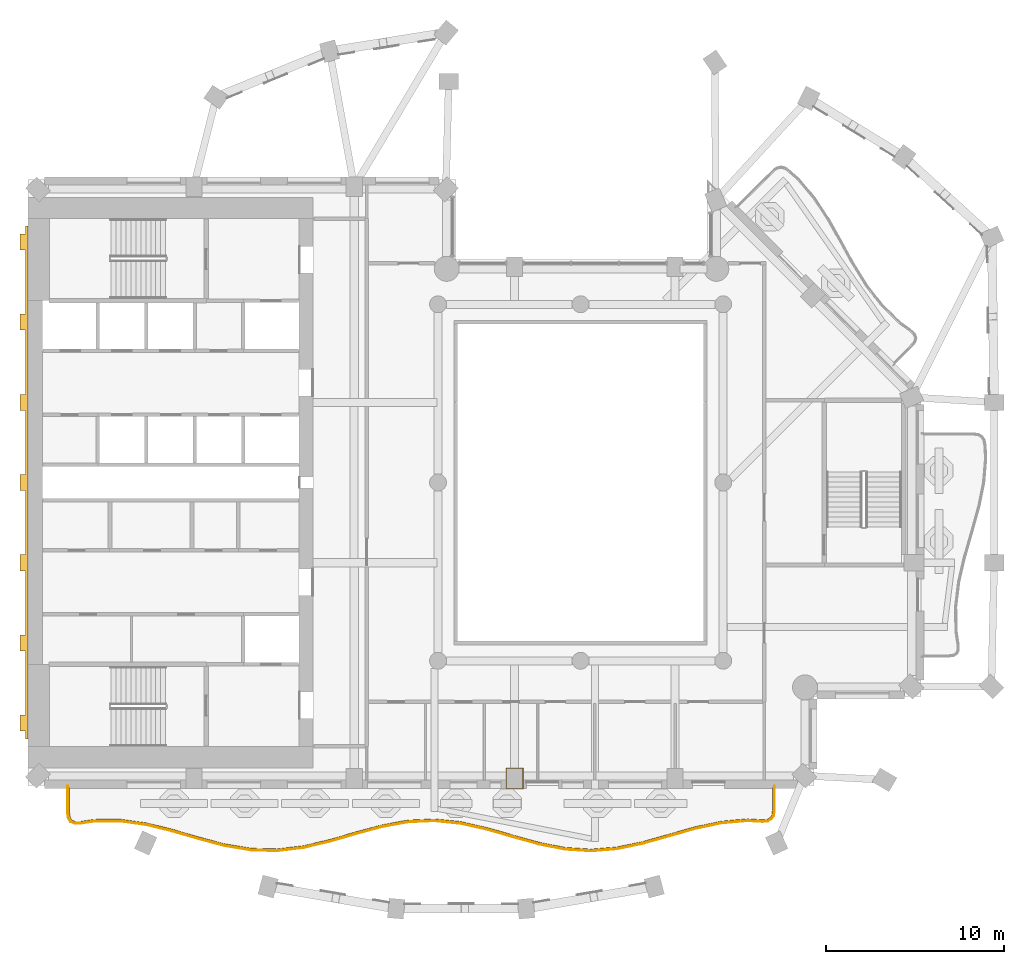
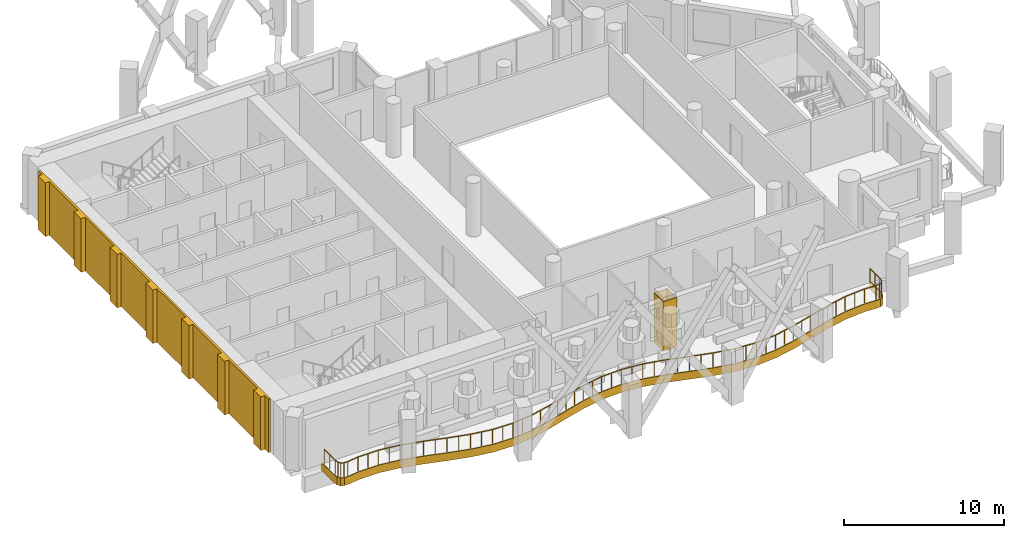
# One storey, part 12 of 16: 3 coverings, 1 railing.
"""IFC4 building model written with IfcOpenShell, lengths in metres."""

from ifc_helpers import new_model, si_unit, direction, frame, origin, origin_2d, place, context, subcontext, project, spatial, polyline, rectangle, outline, extrude, material, layer, layer_set, type_object, element, save


model = new_model("IFC4")

# Units and contexts
model_context = context("Model", 3, precision=1e-05, world=origin(), true_north=direction((0.0, 1.0)))
body_context = subcontext(model_context, "Body", "Model", "MODEL_VIEW")
ifc_project = project(units=[si_unit("LENGTHUNIT", "METRE"), si_unit("AREAUNIT", "SQUARE_METRE"), si_unit("VOLUMEUNIT", "CUBIC_METRE"), si_unit("PLANEANGLEUNIT", "RADIAN"), si_unit("MASSUNIT", "GRAM", prefix="KILO")], contexts=[model_context])

# Site, building, storey
site_placement = place(None, origin())
site = spatial("IfcSite", under=ifc_project, at=site_placement, CompositionType="ELEMENT")
building_placement = place(site_placement, origin())
building = spatial("IfcBuilding", under=site, at=building_placement, Name="Cypress Arch Tower", CompositionType="ELEMENT")
storey_placement = place(building_placement, frame((0.0, 0.0, 230.199951171875)))
storey = spatial("IfcBuildingStorey", under=building, at=storey_placement, Name="L51", CompositionType="ELEMENT", Elevation=230.199951171875)

# Covering
ifc_material_1 = material(Name="White powder-coated aluminium fascia", Category="aluminium")
ifc_layer_1 = layer(ifc_material_1, 0.050048828125)
ifc_layer_set_1 = layer_set([ifc_layer_1], Name="Balcony fascia BF50")
covering_type_1 = type_object("IfcCoveringType", Name="Balcony fascia BF50", PredefinedType="CLADDING", material=ifc_layer_set_1)
covering_1_placement = place(storey_placement, frame((0.0, 0.0, -0.599853515625)))
element("IfcCovering", 1, at=covering_1_placement, inside=storey, type_object=covering_type_1, Name="Balcony fascia L51-B01", PredefinedType="CLADDING", context=body_context, shape_type="SweptSolid", body=[
    extrude(outline(polyline([(11.89990234375, -18.3818359375), (11.856689453125, -18.6826171875), (11.720458984375, -18.901611328125), (11.4931640625, -19.02392578125), (11.1904296875, -19.04833984375), (10.3837890625, -18.997802734375), (8.924072265625, -19.123046875), (7.462158203125, -19.433349609375), (5.9970703125, -19.85009765625), (4.528564453125, -20.266357421875), (3.05712890625, -20.5751953125), (1.583740234375, -20.69677734375), (0.110107421875, -20.599365234375), (-1.361572265625, -20.30859375), (-2.830322265625, -19.8994140625), (-4.295654296875, -19.477294921875), (-5.758056640625, -19.150146484375), (-7.218017578125, -19.001220703125), (-8.677734375, -19.068359375), (-10.138916015625, -19.334228515625), (-11.60302734375, -19.731689453125), (-13.070556640625, -20.1591796875), (-14.541259765625, -20.5068359375), (-16.014404296875, -20.68505859375), (-17.488037109375, -20.647216796875), (-18.96044921875, -20.403564453125), (-20.43017578125, -20.01708984375), (-21.896484375, -19.58740234375), (-23.359375, -19.224365234375), (-24.820068359375, -19.02099609375), (-26.279541015625, -19.028564453125), (-27.086181640625, -19.148193359375), (-27.3896484375, -19.149169921875), (-27.618896484375, -19.044189453125), (-27.756591796875, -18.83251953125), (-27.800048828125, -18.5322265625), (-27.800048828125, -17.0009765625), (-27.75, -17.0009765625), (-27.75, -18.52880859375), (-27.708740234375, -18.814453125), (-27.5849609375, -19.004638671875), (-27.378662109375, -19.09912109375), (-27.090087890625, -19.09814453125), (-26.283447265625, -18.978515625), (-24.816650390625, -18.970947265625), (-23.35009765625, -19.17529296875), (-21.88330078125, -19.5390625), (-20.416748046875, -19.96875), (-18.949951171875, -20.354736328125), (-17.4833984375, -20.597412109375), (-16.0166015625, -20.635009765625), (-14.550048828125, -20.45751953125), (-13.083251953125, -20.11083984375), (-11.61669921875, -19.68359375), (-10.14990234375, -19.285400390625), (-8.683349609375, -19.0185546875), (-7.216552734375, -18.951171875), (-5.75, -19.1005859375), (-4.283447265625, -19.4287109375), (-2.816650390625, -19.851318359375), (-1.35009765625, -20.260009765625), (0.11669921875, -20.5498046875), (1.583251953125, -20.646728515625), (3.050048828125, -20.525634765625), (4.5166015625, -20.2177734375), (5.9833984375, -19.802001953125), (7.449951171875, -19.384765625), (8.916748046875, -19.073486328125), (10.38330078125, -18.94775390625), (11.18994140625, -18.998291015625), (11.478759765625, -18.97509765625), (11.68505859375, -18.864013671875), (11.808837890625, -18.6650390625), (11.85009765625, -18.37841796875), (11.85009765625, -17.0009765625), (11.89990234375, -17.0009765625), (11.89990234375, -18.3818359375)])), origin(), (0.0, 0.0, 1.0), 0.599853515625),
])

# Railing
ifc_material_2 = material(Name="Powder-coated steel posts and rods, 100 mm clear between rods", Category="steel")
railing_type = type_object("IfcRailingType", Name="Balcony guard GR1100", PredefinedType="GUARDRAIL", material=ifc_material_2)
railing_placement = place(storey_placement, frame((11.800048828125, -17.14990234375, 0.0)))
element("IfcRailing", 2, at=railing_placement, inside=storey, type_object=railing_type, Name="Balcony guard L51-B01", PredefinedType="GUARDRAIL", context=body_context, shape_type="SweptSolid", body=[
    extrude(rectangle(XDim=0.050048828125, YDim=0.050048828125, at=origin_2d()), frame((0.0, 0.0, 1.0751953125), z_axis=(0.0, -1.0, 0.0), x_axis=(1.0, 0.0, 0.0)), (0.0, 0.0, 1.0), 1.224853515625),
    extrude(rectangle(XDim=0.050048828125, YDim=0.050048828125, at=origin_2d()), frame((0.0, -1.224853515625, 1.0751953125), z_axis=(-0.142661782436, -0.989771496777, 0.0), x_axis=(0.989771496777, -0.142661782436, 0.0)), (0.0, 0.0, 1.0), 0.275634765625),
    extrude(rectangle(XDim=0.050048828125, YDim=0.050048828125, at=origin_2d()), frame((-0.039306640625, -1.49755859375, 1.0751953125), z_axis=(-0.527911502884, -0.84929938486, 0.0), x_axis=(0.84929938486, -0.527911502884, 0.0)), (0.0, 0.0, 1.0), 0.21044921875),
    extrude(rectangle(XDim=0.050048828125, YDim=0.050048828125, at=origin_2d()), frame((-0.150390625, -1.67626953125, 1.0751953125), z_axis=(-0.880322085584, -0.474376459821, 0.0), x_axis=(0.474376459821, -0.880322085584, 0.0)), (0.0, 0.0, 1.0), 0.21044921875),
    extrude(rectangle(XDim=0.050048828125, YDim=0.050048828125, at=origin_2d()), frame((-0.335693359375, -1.776123046875, 1.0751953125), z_axis=(-0.996820905789, -0.079674850374, 0.0), x_axis=(0.079674850374, -0.996820905789, 0.0)), (0.0, 0.0, 1.0), 0.27587890625),
    extrude(rectangle(XDim=0.050048828125, YDim=0.050048828125, at=origin_2d()), frame((-0.610595703125, -1.798095703125, 1.0751953125), z_axis=(-0.99804316415, 0.062528733347, 0.0), x_axis=(-0.062528733347, -0.99804316415, 0.0)), (0.0, 0.0, 1.0), 0.80810546875),
    extrude(rectangle(XDim=0.050048828125, YDim=0.050048828125, at=origin_2d()), frame((-1.417236328125, -1.74755859375, 1.0751953125), z_axis=(-0.996336608146, -0.085518204311, 0.0), x_axis=(0.085518204311, -0.996336608146, 0.0)), (0.0, 0.0, 1.0), 1.478759765625),
    extrude(rectangle(XDim=0.050048828125, YDim=0.050048828125, at=origin_2d()), frame((-2.890625, -1.8740234375, 1.0751953125), z_axis=(-0.978183180748, -0.207744229527, 0.0), x_axis=(0.207744229527, -0.978183180748, 0.0)), (0.0, 0.0, 1.0), 1.504150390625),
    extrude(rectangle(XDim=0.050048828125, YDim=0.050048828125, at=origin_2d()), frame((-4.362060546875, -2.1865234375, 1.0751953125), z_axis=(-0.961873222255, -0.273495711682, 0.0), x_axis=(0.273495711682, -0.961873222255, 0.0)), (0.0, 0.0, 1.0), 1.5263671875),
    extrude(rectangle(XDim=0.050048828125, YDim=0.050048828125, at=origin_2d()), frame((-5.830322265625, -2.60400390625, 1.0751953125), z_axis=(-0.962096585209, -0.272708930418, 0.0), x_axis=(0.272708930418, -0.962096585209, 0.0)), (0.0, 0.0, 1.0), 1.522705078125),
    extrude(rectangle(XDim=0.050048828125, YDim=0.050048828125, at=origin_2d()), frame((-7.29541015625, -3.019287109375, 1.0751953125), z_axis=(-0.978669272468, -0.205442096776, 0.0), x_axis=(0.205442096776, -0.978669272468, 0.0)), (0.0, 0.0, 1.0), 1.493896484375),
    extrude(rectangle(XDim=0.050048828125, YDim=0.050048828125, at=origin_2d()), frame((-8.75732421875, -3.326171875, 1.0751953125), z_axis=(-0.99661780165, -0.082176380032, 0.0), x_axis=(0.082176380032, -0.99661780165, 0.0)), (0.0, 0.0, 1.0), 1.464599609375),
    extrude(rectangle(XDim=0.050048828125, YDim=0.050048828125, at=origin_2d()), frame((-10.217041015625, -3.446533203125, 1.0751953125), z_axis=(-0.997824854528, 0.065920859264, 0.0), x_axis=(-0.065920859264, -0.997824854528, 0.0)), (0.0, 0.0, 1.0), 1.462890625),
    extrude(rectangle(XDim=0.050048828125, YDim=0.050048828125, at=origin_2d()), frame((-11.6767578125, -3.35009765625, 1.0751953125), z_axis=(-0.981031817987, 0.193846774792, 0.0), x_axis=(-0.193846774792, -0.981031817987, 0.0)), (0.0, 0.0, 1.0), 1.489990234375),
    extrude(rectangle(XDim=0.050048828125, YDim=0.050048828125, at=origin_2d()), frame((-13.138427734375, -3.061279296875, 1.0751953125), z_axis=(-0.963326715403, 0.268331212108, 0.0), x_axis=(-0.268331212108, -0.963326715403, 0.0)), (0.0, 0.0, 1.0), 1.520263671875),
    extrude(rectangle(XDim=0.050048828125, YDim=0.050048828125, at=origin_2d()), frame((-14.60302734375, -2.6533203125, 1.0751953125), z_axis=(-0.96093073146, 0.276788961731, 0.0), x_axis=(-0.276788961731, -0.96093073146, 0.0)), (0.0, 0.0, 1.0), 1.527587890625),
    extrude(rectangle(XDim=0.050048828125, YDim=0.050048828125, at=origin_2d()), frame((-16.071044921875, -2.23046875, 1.0751953125), z_axis=(-0.975873539044, 0.218336519607, 0.0), x_axis=(-0.218336519607, -0.975873539044, 0.0)), (0.0, 0.0, 1.0), 1.50732421875),
    extrude(rectangle(XDim=0.050048828125, YDim=0.050048828125, at=origin_2d()), frame((-17.5419921875, -1.9013671875, 1.0751953125), z_axis=(-0.994847723588, 0.101380505386, 0.0), x_axis=(-0.101380505386, -0.994847723588, 0.0)), (0.0, 0.0, 1.0), 1.48095703125),
    extrude(rectangle(XDim=0.050048828125, YDim=0.050048828125, at=origin_2d()), frame((-19.015380859375, -1.751220703125, 1.0751953125), z_axis=(-0.998948653752, -0.045843071088, 0.0), x_axis=(0.045843071088, -0.998948653752, 0.0)), (0.0, 0.0, 1.0), 1.47509765625),
    extrude(rectangle(XDim=0.050048828125, YDim=0.050048828125, at=origin_2d()), frame((-20.489013671875, -1.81884765625, 1.0751953125), z_axis=(-0.983851631105, -0.178985943503, 0.0), x_axis=(0.178985943503, -0.983851631105, 0.0)), (0.0, 0.0, 1.0), 1.496337890625),
    extrude(rectangle(XDim=0.050048828125, YDim=0.050048828125, at=origin_2d()), frame((-21.961181640625, -2.086669921875, 1.0751953125), z_axis=(-0.965048250566, -0.262072268809, 0.0), x_axis=(0.262072268809, -0.965048250566, 0.0)), (0.0, 0.0, 1.0), 1.522216796875),
    extrude(rectangle(XDim=0.050048828125, YDim=0.050048828125, at=origin_2d()), frame((-23.43017578125, -2.485595703125, 1.0751953125), z_axis=(-0.960105583245, -0.279637746061, 0.0), x_axis=(0.279637746061, -0.960105583245, 0.0)), (0.0, 0.0, 1.0), 1.527099609375),
    extrude(rectangle(XDim=0.050048828125, YDim=0.050048828125, at=origin_2d()), frame((-24.896240234375, -2.91259765625, 1.0751953125), z_axis=(-0.973186596214, -0.2300170623, 0.0), x_axis=(0.2300170623, -0.973186596214, 0.0)), (0.0, 0.0, 1.0), 1.5029296875),
    extrude(rectangle(XDim=0.050048828125, YDim=0.050048828125, at=origin_2d()), frame((-26.35888671875, -3.25830078125, 1.0751953125), z_axis=(-0.992772785687, -0.120009149649, 0.0), x_axis=(0.120009149649, -0.992772785687, 0.0)), (0.0, 0.0, 1.0), 1.470947265625),
    extrude(rectangle(XDim=0.050048828125, YDim=0.050048828125, at=origin_2d()), frame((-27.819091796875, -3.434814453125, 1.0751953125), z_axis=(-0.999676901576, 0.025418348785, 0.0), x_axis=(-0.025418348785, -0.999676901576, 0.0)), (0.0, 0.0, 1.0), 1.4599609375),
    extrude(rectangle(XDim=0.050048828125, YDim=0.050048828125, at=origin_2d()), frame((-29.278564453125, -3.397705078125, 1.0751953125), z_axis=(-0.986562723275, 0.163382964366, 0.0), x_axis=(-0.163382964366, -0.986562723275, 0.0)), (0.0, 0.0, 1.0), 1.48095703125),
    extrude(rectangle(XDim=0.050048828125, YDim=0.050048828125, at=origin_2d()), frame((-30.739501953125, -3.15576171875, 1.0751953125), z_axis=(-0.967110045631, 0.254358329213, 0.0), x_axis=(-0.254358329213, -0.967110045631, 0.0)), (0.0, 0.0, 1.0), 1.513671875),
    extrude(rectangle(XDim=0.050048828125, YDim=0.050048828125, at=origin_2d()), frame((-32.203369140625, -2.770751953125, 1.0751953125), z_axis=(-0.95963969112, 0.281232400743, 0.0), x_axis=(-0.281232400743, -0.95963969112, 0.0)), (0.0, 0.0, 1.0), 1.52880859375),
    extrude(rectangle(XDim=0.050048828125, YDim=0.050048828125, at=origin_2d()), frame((-33.67041015625, -2.3408203125, 1.0751953125), z_axis=(-0.970614700325, 0.240638948453, 0.0), x_axis=(-0.240638948453, -0.970614700325, 0.0)), (0.0, 0.0, 1.0), 1.5146484375),
    extrude(rectangle(XDim=0.050048828125, YDim=0.050048828125, at=origin_2d()), frame((-35.140625, -1.976318359375, 1.0751953125), z_axis=(-0.990420045806, 0.138087410233, 0.0), x_axis=(-0.138087410233, -0.990420045806, 0.0)), (0.0, 0.0, 1.0), 1.48681640625),
    extrude(rectangle(XDim=0.050048828125, YDim=0.050048828125, at=origin_2d()), frame((-36.61328125, -1.77099609375, 1.0751953125), z_axis=(-0.999986816144, -0.005134933129, 0.0), x_axis=(0.005134933129, -0.999986816144, 0.0)), (0.0, 0.0, 1.0), 1.473876953125),
    extrude(rectangle(XDim=0.050048828125, YDim=0.050048828125, at=origin_2d()), frame((-38.087158203125, -1.778564453125, 1.0751953125), z_axis=(-0.989180946289, -0.146700564068, 0.0), x_axis=(0.146700564068, -0.989180946289, 0.0)), (0.0, 0.0, 1.0), 0.8154296875),
    extrude(rectangle(XDim=0.050048828125, YDim=0.050048828125, at=origin_2d()), frame((-38.893798828125, -1.898193359375, 1.0751953125), z_axis=(-0.999993656538, -0.003561865206, 0.0), x_axis=(0.003561865206, -0.999993656538, 0.0)), (0.0, 0.0, 1.0), 0.274169921875),
    extrude(rectangle(XDim=0.050048828125, YDim=0.050048828125, at=origin_2d()), frame((-39.16796875, -1.899169921875, 1.0751953125), z_axis=(-0.909408965567, 0.415903033586, 0.0), x_axis=(-0.415903033586, -0.909408965567, 0.0)), (0.0, 0.0, 1.0), 0.201416015625),
    extrude(rectangle(XDim=0.050048828125, YDim=0.050048828125, at=origin_2d()), frame((-39.35107421875, -1.8154296875, 1.0751953125), z_axis=(-0.545158668166, 0.838332885269, 0.0), x_axis=(-0.838332885269, -0.545158668166, 0.0)), (0.0, 0.0, 1.0), 0.201416015625),
    extrude(rectangle(XDim=0.050048828125, YDim=0.050048828125, at=origin_2d()), frame((-39.4609375, -1.646484375, 1.0751953125), z_axis=(-0.142543797725, 0.989788495453, 0.0), x_axis=(-0.989788495453, -0.142543797725, 0.0)), (0.0, 0.0, 1.0), 0.27392578125),
    extrude(rectangle(XDim=0.050048828125, YDim=0.050048828125, at=origin_2d()), frame((-39.5, -1.375244140625, 1.0751953125), z_axis=(0.0, 1.0, 0.0), x_axis=(-1.0, 0.0, 0.0)), (0.0, 0.0, 1.0), 1.375244140625),
    extrude(rectangle(XDim=0.0400390625, YDim=0.0400390625, at=origin_2d()), origin(), (0.0, 0.0, 1.0), 1.050048828125),
    extrude(rectangle(XDim=0.0400390625, YDim=0.0400390625, at=origin_2d()), frame((0.0, -0.6123046875, 0.0)), (0.0, 0.0, 1.0), 1.050048828125),
    extrude(rectangle(XDim=0.0400390625, YDim=0.0400390625, at=origin_2d()), frame((0.0, -1.224853515625, 0.0)), (0.0, 0.0, 1.0), 1.050048828125),
    extrude(rectangle(XDim=0.0400390625, YDim=0.0400390625, at=origin_2d()), frame((-0.039306640625, -1.49755859375, 0.0)), (0.0, 0.0, 1.0), 1.050048828125),
    extrude(rectangle(XDim=0.0400390625, YDim=0.0400390625, at=origin_2d()), frame((-0.150390625, -1.67626953125, 0.0)), (0.0, 0.0, 1.0), 1.050048828125),
    extrude(rectangle(XDim=0.0400390625, YDim=0.0400390625, at=origin_2d()), frame((-0.335693359375, -1.776123046875, 0.0)), (0.0, 0.0, 1.0), 1.050048828125),
    extrude(rectangle(XDim=0.0400390625, YDim=0.0400390625, at=origin_2d()), frame((-0.610595703125, -1.798095703125, 0.0)), (0.0, 0.0, 1.0), 1.050048828125),
    extrude(rectangle(XDim=0.0400390625, YDim=0.0400390625, at=origin_2d()), frame((-1.417236328125, -1.74755859375, 0.0)), (0.0, 0.0, 1.0), 1.050048828125),
    extrude(rectangle(XDim=0.0400390625, YDim=0.0400390625, at=origin_2d()), frame((-2.15380859375, -1.810791015625, 0.0)), (0.0, 0.0, 1.0), 1.050048828125),
    extrude(rectangle(XDim=0.0400390625, YDim=0.0400390625, at=origin_2d()), frame((-2.890625, -1.8740234375, 0.0)), (0.0, 0.0, 1.0), 1.050048828125),
    extrude(rectangle(XDim=0.0400390625, YDim=0.0400390625, at=origin_2d()), frame((-3.62646484375, -2.0302734375, 0.0)), (0.0, 0.0, 1.0), 1.050048828125),
    extrude(rectangle(XDim=0.0400390625, YDim=0.0400390625, at=origin_2d()), frame((-4.362060546875, -2.1865234375, 0.0)), (0.0, 0.0, 1.0), 1.050048828125),
    extrude(rectangle(XDim=0.0400390625, YDim=0.0400390625, at=origin_2d()), frame((-5.09619140625, -2.395263671875, 0.0)), (0.0, 0.0, 1.0), 1.050048828125),
    extrude(rectangle(XDim=0.0400390625, YDim=0.0400390625, at=origin_2d()), frame((-5.830322265625, -2.60400390625, 0.0)), (0.0, 0.0, 1.0), 1.050048828125),
    extrude(rectangle(XDim=0.0400390625, YDim=0.0400390625, at=origin_2d()), frame((-6.56298828125, -2.8115234375, 0.0)), (0.0, 0.0, 1.0), 1.050048828125),
    extrude(rectangle(XDim=0.0400390625, YDim=0.0400390625, at=origin_2d()), frame((-7.29541015625, -3.019287109375, 0.0)), (0.0, 0.0, 1.0), 1.050048828125),
    extrude(rectangle(XDim=0.0400390625, YDim=0.0400390625, at=origin_2d()), frame((-8.0263671875, -3.1728515625, 0.0)), (0.0, 0.0, 1.0), 1.050048828125),
    extrude(rectangle(XDim=0.0400390625, YDim=0.0400390625, at=origin_2d()), frame((-8.75732421875, -3.326171875, 0.0)), (0.0, 0.0, 1.0), 1.050048828125),
    extrude(rectangle(XDim=0.0400390625, YDim=0.0400390625, at=origin_2d()), frame((-9.4873046875, -3.38623046875, 0.0)), (0.0, 0.0, 1.0), 1.050048828125),
    extrude(rectangle(XDim=0.0400390625, YDim=0.0400390625, at=origin_2d()), frame((-10.217041015625, -3.446533203125, 0.0)), (0.0, 0.0, 1.0), 1.050048828125),
    extrude(rectangle(XDim=0.0400390625, YDim=0.0400390625, at=origin_2d()), frame((-10.94677734375, -3.3984375, 0.0)), (0.0, 0.0, 1.0), 1.050048828125),
    extrude(rectangle(XDim=0.0400390625, YDim=0.0400390625, at=origin_2d()), frame((-11.6767578125, -3.35009765625, 0.0)), (0.0, 0.0, 1.0), 1.050048828125),
    extrude(rectangle(XDim=0.0400390625, YDim=0.0400390625, at=origin_2d()), frame((-12.40771484375, -3.20556640625, 0.0)), (0.0, 0.0, 1.0), 1.050048828125),
    extrude(rectangle(XDim=0.0400390625, YDim=0.0400390625, at=origin_2d()), frame((-13.138427734375, -3.061279296875, 0.0)), (0.0, 0.0, 1.0), 1.050048828125),
    extrude(rectangle(XDim=0.0400390625, YDim=0.0400390625, at=origin_2d()), frame((-13.87060546875, -2.857421875, 0.0)), (0.0, 0.0, 1.0), 1.050048828125),
    extrude(rectangle(XDim=0.0400390625, YDim=0.0400390625, at=origin_2d()), frame((-14.60302734375, -2.6533203125, 0.0)), (0.0, 0.0, 1.0), 1.050048828125),
    extrude(rectangle(XDim=0.0400390625, YDim=0.0400390625, at=origin_2d()), frame((-15.3369140625, -2.44189453125, 0.0)), (0.0, 0.0, 1.0), 1.050048828125),
    extrude(rectangle(XDim=0.0400390625, YDim=0.0400390625, at=origin_2d()), frame((-16.071044921875, -2.23046875, 0.0)), (0.0, 0.0, 1.0), 1.050048828125),
    extrude(rectangle(XDim=0.0400390625, YDim=0.0400390625, at=origin_2d()), frame((-16.806640625, -2.06591796875, 0.0)), (0.0, 0.0, 1.0), 1.050048828125),
    extrude(rectangle(XDim=0.0400390625, YDim=0.0400390625, at=origin_2d()), frame((-17.5419921875, -1.9013671875, 0.0)), (0.0, 0.0, 1.0), 1.050048828125),
    extrude(rectangle(XDim=0.0400390625, YDim=0.0400390625, at=origin_2d()), frame((-18.27880859375, -1.826171875, 0.0)), (0.0, 0.0, 1.0), 1.050048828125),
    extrude(rectangle(XDim=0.0400390625, YDim=0.0400390625, at=origin_2d()), frame((-19.015380859375, -1.751220703125, 0.0)), (0.0, 0.0, 1.0), 1.050048828125),
    extrude(rectangle(XDim=0.0400390625, YDim=0.0400390625, at=origin_2d()), frame((-19.752197265625, -1.78515625, 0.0)), (0.0, 0.0, 1.0), 1.050048828125),
    extrude(rectangle(XDim=0.0400390625, YDim=0.0400390625, at=origin_2d()), frame((-20.489013671875, -1.81884765625, 0.0)), (0.0, 0.0, 1.0), 1.050048828125),
    extrude(rectangle(XDim=0.0400390625, YDim=0.0400390625, at=origin_2d()), frame((-21.22509765625, -1.95263671875, 0.0)), (0.0, 0.0, 1.0), 1.050048828125),
    extrude(rectangle(XDim=0.0400390625, YDim=0.0400390625, at=origin_2d()), frame((-21.961181640625, -2.086669921875, 0.0)), (0.0, 0.0, 1.0), 1.050048828125),
    extrude(rectangle(XDim=0.0400390625, YDim=0.0400390625, at=origin_2d()), frame((-22.69580078125, -2.2861328125, 0.0)), (0.0, 0.0, 1.0), 1.050048828125),
    extrude(rectangle(XDim=0.0400390625, YDim=0.0400390625, at=origin_2d()), frame((-23.43017578125, -2.485595703125, 0.0)), (0.0, 0.0, 1.0), 1.050048828125),
    extrude(rectangle(XDim=0.0400390625, YDim=0.0400390625, at=origin_2d()), frame((-24.1630859375, -2.69921875, 0.0)), (0.0, 0.0, 1.0), 1.050048828125),
    extrude(rectangle(XDim=0.0400390625, YDim=0.0400390625, at=origin_2d()), frame((-24.896240234375, -2.91259765625, 0.0)), (0.0, 0.0, 1.0), 1.050048828125),
    extrude(rectangle(XDim=0.0400390625, YDim=0.0400390625, at=origin_2d()), frame((-25.62744140625, -3.08544921875, 0.0)), (0.0, 0.0, 1.0), 1.050048828125),
    extrude(rectangle(XDim=0.0400390625, YDim=0.0400390625, at=origin_2d()), frame((-26.35888671875, -3.25830078125, 0.0)), (0.0, 0.0, 1.0), 1.050048828125),
    extrude(rectangle(XDim=0.0400390625, YDim=0.0400390625, at=origin_2d()), frame((-27.0888671875, -3.3466796875, 0.0)), (0.0, 0.0, 1.0), 1.050048828125),
    extrude(rectangle(XDim=0.0400390625, YDim=0.0400390625, at=origin_2d()), frame((-27.819091796875, -3.434814453125, 0.0)), (0.0, 0.0, 1.0), 1.050048828125),
    extrude(rectangle(XDim=0.0400390625, YDim=0.0400390625, at=origin_2d()), frame((-28.548828125, -3.416259765625, 0.0)), (0.0, 0.0, 1.0), 1.050048828125),
    extrude(rectangle(XDim=0.0400390625, YDim=0.0400390625, at=origin_2d()), frame((-29.278564453125, -3.397705078125, 0.0)), (0.0, 0.0, 1.0), 1.050048828125),
    extrude(rectangle(XDim=0.0400390625, YDim=0.0400390625, at=origin_2d()), frame((-30.009033203125, -3.27685546875, 0.0)), (0.0, 0.0, 1.0), 1.050048828125),
    extrude(rectangle(XDim=0.0400390625, YDim=0.0400390625, at=origin_2d()), frame((-30.739501953125, -3.15576171875, 0.0)), (0.0, 0.0, 1.0), 1.050048828125),
    extrude(rectangle(XDim=0.0400390625, YDim=0.0400390625, at=origin_2d()), frame((-31.471435546875, -2.96337890625, 0.0)), (0.0, 0.0, 1.0), 1.050048828125),
    extrude(rectangle(XDim=0.0400390625, YDim=0.0400390625, at=origin_2d()), frame((-32.203369140625, -2.770751953125, 0.0)), (0.0, 0.0, 1.0), 1.050048828125),
    extrude(rectangle(XDim=0.0400390625, YDim=0.0400390625, at=origin_2d()), frame((-32.93701171875, -2.5556640625, 0.0)), (0.0, 0.0, 1.0), 1.050048828125),
    extrude(rectangle(XDim=0.0400390625, YDim=0.0400390625, at=origin_2d()), frame((-33.67041015625, -2.3408203125, 0.0)), (0.0, 0.0, 1.0), 1.050048828125),
    extrude(rectangle(XDim=0.0400390625, YDim=0.0400390625, at=origin_2d()), frame((-34.405517578125, -2.15869140625, 0.0)), (0.0, 0.0, 1.0), 1.050048828125),
    extrude(rectangle(XDim=0.0400390625, YDim=0.0400390625, at=origin_2d()), frame((-35.140625, -1.976318359375, 0.0)), (0.0, 0.0, 1.0), 1.050048828125),
    extrude(rectangle(XDim=0.0400390625, YDim=0.0400390625, at=origin_2d()), frame((-35.876953125, -1.87353515625, 0.0)), (0.0, 0.0, 1.0), 1.050048828125),
    extrude(rectangle(XDim=0.0400390625, YDim=0.0400390625, at=origin_2d()), frame((-36.61328125, -1.77099609375, 0.0)), (0.0, 0.0, 1.0), 1.050048828125),
    extrude(rectangle(XDim=0.0400390625, YDim=0.0400390625, at=origin_2d()), frame((-37.35009765625, -1.77490234375, 0.0)), (0.0, 0.0, 1.0), 1.050048828125),
    extrude(rectangle(XDim=0.0400390625, YDim=0.0400390625, at=origin_2d()), frame((-38.087158203125, -1.778564453125, 0.0)), (0.0, 0.0, 1.0), 1.050048828125),
    extrude(rectangle(XDim=0.0400390625, YDim=0.0400390625, at=origin_2d()), frame((-38.893798828125, -1.898193359375, 0.0)), (0.0, 0.0, 1.0), 1.050048828125),
    extrude(rectangle(XDim=0.0400390625, YDim=0.0400390625, at=origin_2d()), frame((-39.16796875, -1.899169921875, 0.0)), (0.0, 0.0, 1.0), 1.050048828125),
    extrude(rectangle(XDim=0.0400390625, YDim=0.0400390625, at=origin_2d()), frame((-39.35107421875, -1.8154296875, 0.0)), (0.0, 0.0, 1.0), 1.050048828125),
    extrude(rectangle(XDim=0.0400390625, YDim=0.0400390625, at=origin_2d()), frame((-39.4609375, -1.646484375, 0.0)), (0.0, 0.0, 1.0), 1.050048828125),
    extrude(rectangle(XDim=0.0400390625, YDim=0.0400390625, at=origin_2d()), frame((-39.5, -1.375244140625, 0.0)), (0.0, 0.0, 1.0), 1.050048828125),
    extrude(rectangle(XDim=0.0400390625, YDim=0.0400390625, at=origin_2d()), frame((-39.5, -0.6875, 0.0)), (0.0, 0.0, 1.0), 1.050048828125),
    extrude(rectangle(XDim=0.0400390625, YDim=0.0400390625, at=origin_2d()), frame((-39.5, 0.0, 0.0)), (0.0, 0.0, 1.0), 1.050048828125),
])

# Coverings
ifc_material_3 = material(Name="Painted plasterboard column casing")
ifc_layer_2 = layer(ifc_material_3, 0.0400390625)
ifc_layer_set_2 = layer_set([ifc_layer_2], Name="Column casing CK40")
covering_type_2 = type_object("IfcCoveringType", Name="Column casing CK40", PredefinedType="CLADDING", material=ifc_layer_set_2)
covering_2_placement = place(storey_placement, origin())
element("IfcCovering", 3, at=covering_2_placement, inside=storey, type_object=covering_type_2, Name="Column casing L51 CB04", PredefinedType="CLADDING", context=body_context, shape_type="SweptSolid", body=[
    extrude(outline(polyline([(-3.18994140625, -17.18994140625), (-3.18994140625, -16.010009765625), (-2.2099609375, -16.010009765625), (-2.2099609375, -17.18994140625), (-3.18994140625, -17.18994140625)]), holes=[polyline([(-3.14990234375, -17.14990234375), (-2.25, -17.14990234375), (-2.25, -16.050048828125), (-3.14990234375, -16.050048828125), (-3.14990234375, -17.14990234375)])]), origin(), (0.0, 0.0, 1.0), 3.800048828125),
])
ifc_material_4 = material(Name="Brick (red buff blend)", Category="masonry")
ifc_layer_3 = layer(ifc_material_4, 0.449951171875)
ifc_layer_set_3 = layer_set([ifc_layer_3], Name="West face brick piers WP450")
covering_type_3 = type_object("IfcCoveringType", Name="West face brick piers WP450", PredefinedType="CLADDING", material=ifc_layer_set_3)
covering_3_placement = place(storey_placement, origin())
element("IfcCovering", 4, at=covering_3_placement, inside=storey, type_object=covering_type_3, Name="West face brick piers L51", PredefinedType="CLADDING", context=body_context, shape_type="SweptSolid", body=[
    extrude(outline(polyline([(-30.14990234375, -13.050048828125), (-30.14990234375, -9.449951171875), (-30.449951171875, -9.449951171875), (-30.449951171875, -8.550048828125), (-30.14990234375, -8.550048828125), (-30.14990234375, -4.949951171875), (-30.449951171875, -4.949951171875), (-30.449951171875, -4.050048828125), (-30.14990234375, -4.050048828125), (-30.14990234375, -0.449951171875), (-30.449951171875, -0.449951171875), (-30.449951171875, 0.449951171875), (-30.14990234375, 0.449951171875), (-30.14990234375, 4.050048828125), (-30.449951171875, 4.050048828125), (-30.449951171875, 4.949951171875), (-30.14990234375, 4.949951171875), (-30.14990234375, 8.550048828125), (-30.449951171875, 8.550048828125), (-30.449951171875, 9.449951171875), (-30.14990234375, 9.449951171875), (-30.14990234375, 13.050048828125), (-30.449951171875, 13.050048828125), (-30.449951171875, 13.949951171875), (-30.14990234375, 13.949951171875), (-30.14990234375, 14.39990234375), (-30.0, 14.39990234375), (-30.0, -14.39990234375), (-30.14990234375, -14.39990234375), (-30.14990234375, -13.949951171875), (-30.449951171875, -13.949951171875), (-30.449951171875, -13.050048828125), (-30.14990234375, -13.050048828125)])), origin(), (0.0, 0.0, 1.0), 4.10009765625),
])

save(model, "model.ifc")
